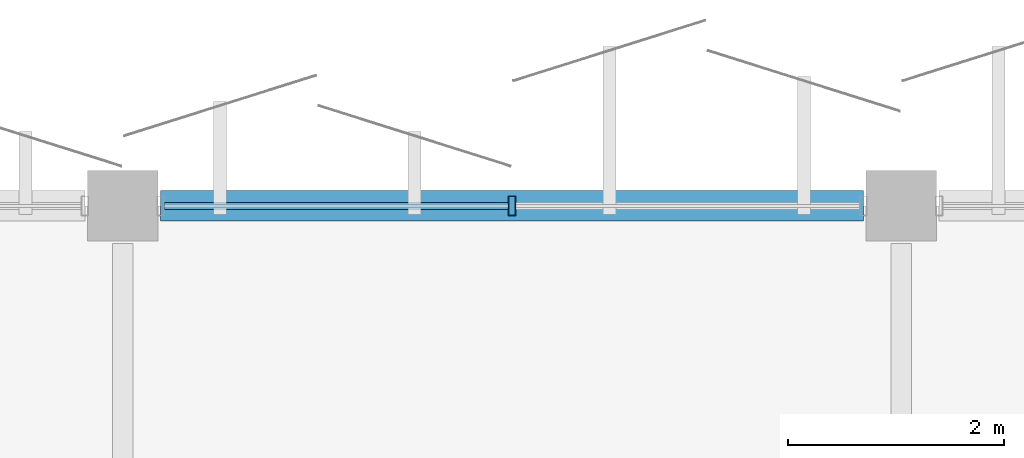
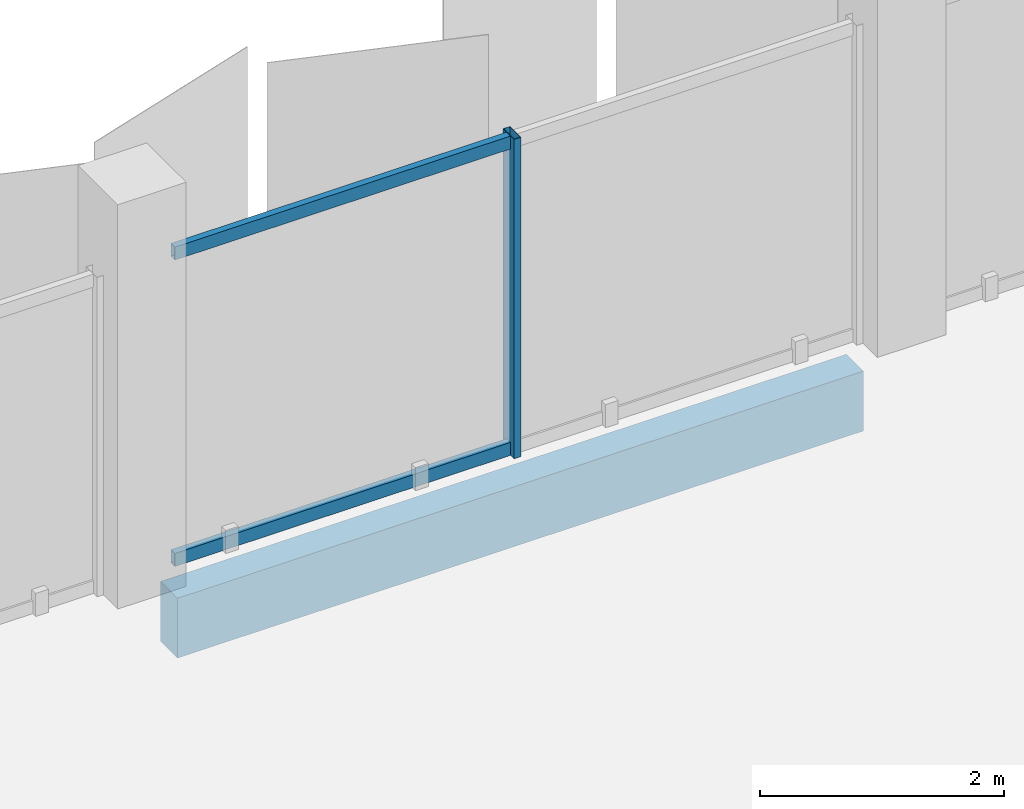
# One storey, part 41 of 108: 3 members, 1 beam, 1 element without a shape of its own.
"""IFC4 building model written with IfcOpenShell, lengths in metres."""

from ifc_helpers import new_model, si_unit, direction, frame, origin, origin_2d, place, context, subcontext, project, spatial, rectangle, hollow_rectangle, extrude, material, layer, layer_set, material_profile, profile_set, type_object, element, aggregate, save


model = new_model("IFC4")

# Units and contexts
model_context = context("Model", 3, precision=1e-05, world=origin(), true_north=direction((0.0, 1.0)))
body_context = subcontext(model_context, "Body", "Model", "MODEL_VIEW")
ifc_project = project(units=[si_unit("LENGTHUNIT", "METRE"), si_unit("AREAUNIT", "SQUARE_METRE"), si_unit("VOLUMEUNIT", "CUBIC_METRE"), si_unit("PLANEANGLEUNIT", "RADIAN"), si_unit("MASSUNIT", "GRAM", prefix="KILO")], contexts=[model_context])

# Site, building, storey
site_placement = place(None, origin())
site = spatial("IfcSite", under=ifc_project, at=site_placement, CompositionType="ELEMENT")
building_placement = place(site_placement, origin())
building = spatial("IfcBuilding", under=site, at=building_placement, Name="Kangsadwip Square Police Headquarters", CompositionType="ELEMENT")
storey_placement = place(building_placement, frame((0.0, 0.0, 9.449951171875)))
storey = spatial("IfcBuildingStorey", under=building, at=storey_placement, Name="L02", CompositionType="ELEMENT", Elevation=9.449951171875)

# Curtain wall, members
ifc_material_1 = material(Name="Thermally broken anodised aluminium AW-6063-T6", Category="aluminium")
ifc_layer = layer(ifc_material_1, 0.159912109375)
ifc_layer_set = layer_set([ifc_layer], Name="Thermally broken anodised aluminium AW-6063-T6")
curtain_wall_type = type_object("IfcCurtainWallType", Name="UnitisedCw6560x3200", PredefinedType="NOTDEFINED", material=ifc_layer_set)
curtain_wall_placement = place(storey_placement, origin())
curtain_wall = element("IfcCurtainWall", 1, at=curtain_wall_placement, inside=storey, type_object=curtain_wall_type, Name="Curtain Wall CW-L02-1227-1152", PredefinedType="NOTDEFINED")
ifc_material_2 = material(Name="Thermally broken anodised aluminium AW-6063-T6", Category="aluminium")
ifc_material_profile_1 = material_profile(ifc_material_2, hollow_rectangle(XDim=0.06494140625, YDim=0.179931640625, WallThickness=0.00390625, at=origin_2d()), Name="CWM 180X65X4")
ifc_profile_set_1 = profile_set([ifc_material_profile_1], Name="Thermally broken anodised aluminium AW-6063-T6")
member_type_1 = type_object("IfcMemberType", Name="CwMullion160x65", PredefinedType="MULLION", material=ifc_profile_set_1)
member_1_placement = place(storey_placement, frame((126.0, 115.199951171875, 0.0), z_axis=(0.0, 0.0, 1.0), x_axis=(1.0, 0.0, 0.0)))
member_1 = element("IfcMember", 2, at=member_1_placement, type_object=member_type_1, Name="CW-20 mullion 2", PredefinedType="MULLION", context=body_context, shape_type="SweptSolid", body=[
    extrude(hollow_rectangle(XDim=0.06494140625, YDim=0.179931640625, WallThickness=0.00390625, at=origin_2d()), origin(), (0.0, 0.0, 1.0), 3.199951171875),
])
ifc_material_3 = material(Name="Thermally broken anodised aluminium AW-6063-T6", Category="aluminium")
ifc_material_profile_2 = material_profile(ifc_material_3, hollow_rectangle(XDim=0.06494140625, YDim=0.1298828125, WallThickness=0.00390625, at=origin_2d()), Name="CWT 130X65X4")
ifc_profile_set_2 = profile_set([ifc_material_profile_2], Name="Thermally broken anodised aluminium AW-6063-T6")
member_type_2 = type_object("IfcMemberType", Name="CwTransom140x60", PredefinedType="USERDEFINED", material=ifc_profile_set_2)
member_2_placement = place(storey_placement, frame((122.784912109375, 115.199951171875, 0.06494140625), z_axis=(1.0, 0.0, 0.0), x_axis=(0.0, 1.0, 0.0)))
member_2 = element("IfcMember", 3, at=member_2_placement, type_object=member_type_2, Name="CW-20 transom 1.1", ObjectType="TRANSOM", PredefinedType="USERDEFINED", context=body_context, shape_type="SweptSolid", body=[
    extrude(hollow_rectangle(XDim=0.06494140625, YDim=0.1298828125, WallThickness=0.00390625, at=origin_2d()), origin(), (0.0, 0.0, 1.0), 3.1826171875),
])
member_3_placement = place(storey_placement, frame((122.784912109375, 115.199951171875, 3.135009765625), z_axis=(1.0, 0.0, 0.0), x_axis=(0.0, 1.0, 0.0)))
member_3 = element("IfcMember", 4, at=member_3_placement, type_object=member_type_2, Name="CW-20 transom 1.2", ObjectType="TRANSOM", PredefinedType="USERDEFINED", context=body_context, shape_type="SweptSolid", body=[
    extrude(hollow_rectangle(XDim=0.06494140625, YDim=0.1298828125, WallThickness=0.00390625, at=origin_2d()), origin(), (0.0, 0.0, 1.0), 3.1826171875),
])
aggregate(curtain_wall, [member_1, member_2, member_3])

# Beam
ifc_material_4 = material(Name="Concrete M40 (40 MPa)", Category="concrete")
ifc_material_profile_3 = material_profile(ifc_material_4, rectangle(XDim=0.280029296875, YDim=0.60009765625, at=origin_2d()), Name="RC SPN 600X280")
ifc_profile_set_3 = profile_set([ifc_material_profile_3], Name="Concrete M40 (40 MPa)")
beam_type = type_object("IfcBeamType", Name="RcSpandrel600x280", PredefinedType="SPANDREL", material=ifc_profile_set_3)
beam_placement = place(storey_placement, frame((122.75, 115.199951171875, -0.5400390625), z_axis=(1.0, 0.0, 0.0), x_axis=(0.0, 1.0, 0.0)))
element("IfcBeam", 5, at=beam_placement, inside=storey, type_object=beam_type, Name="Beam BM-L02-X-17-16", PredefinedType="SPANDREL", context=body_context, shape_type="SweptSolid", body=[
    extrude(rectangle(XDim=0.280029296875, YDim=0.60009765625, at=origin_2d()), origin(), (0.0, 0.0, 1.0), 6.5),
])

save(model, "model.ifc")
